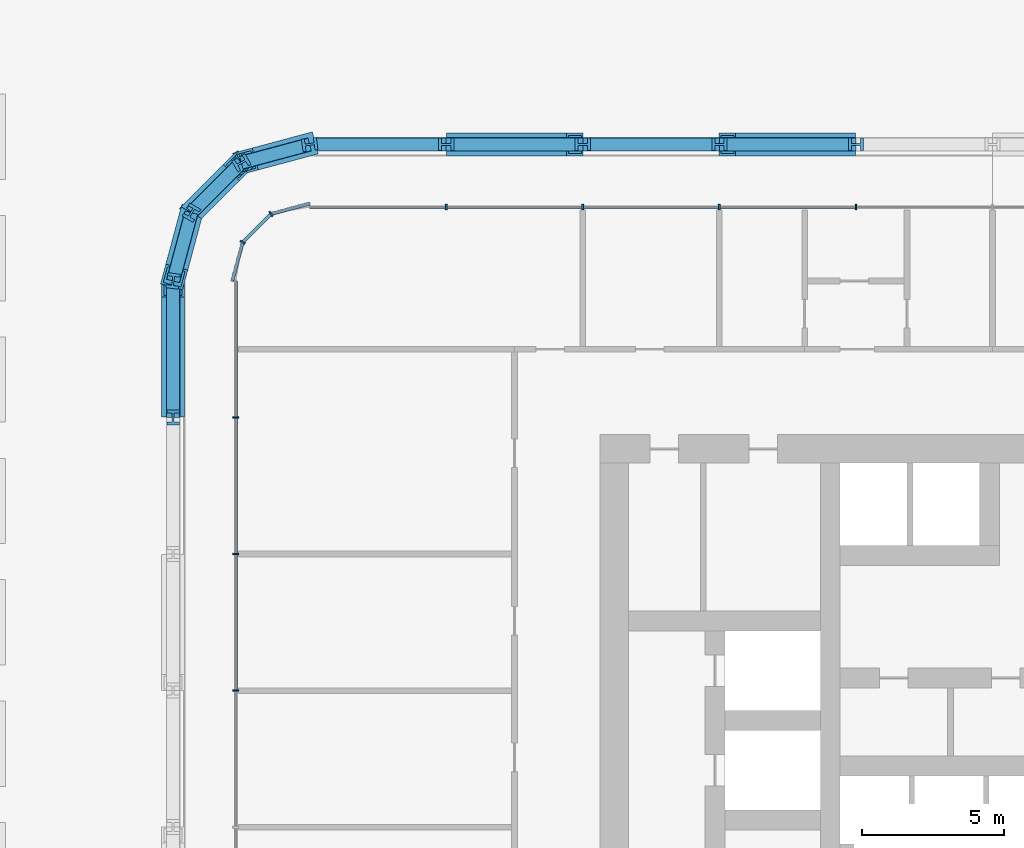
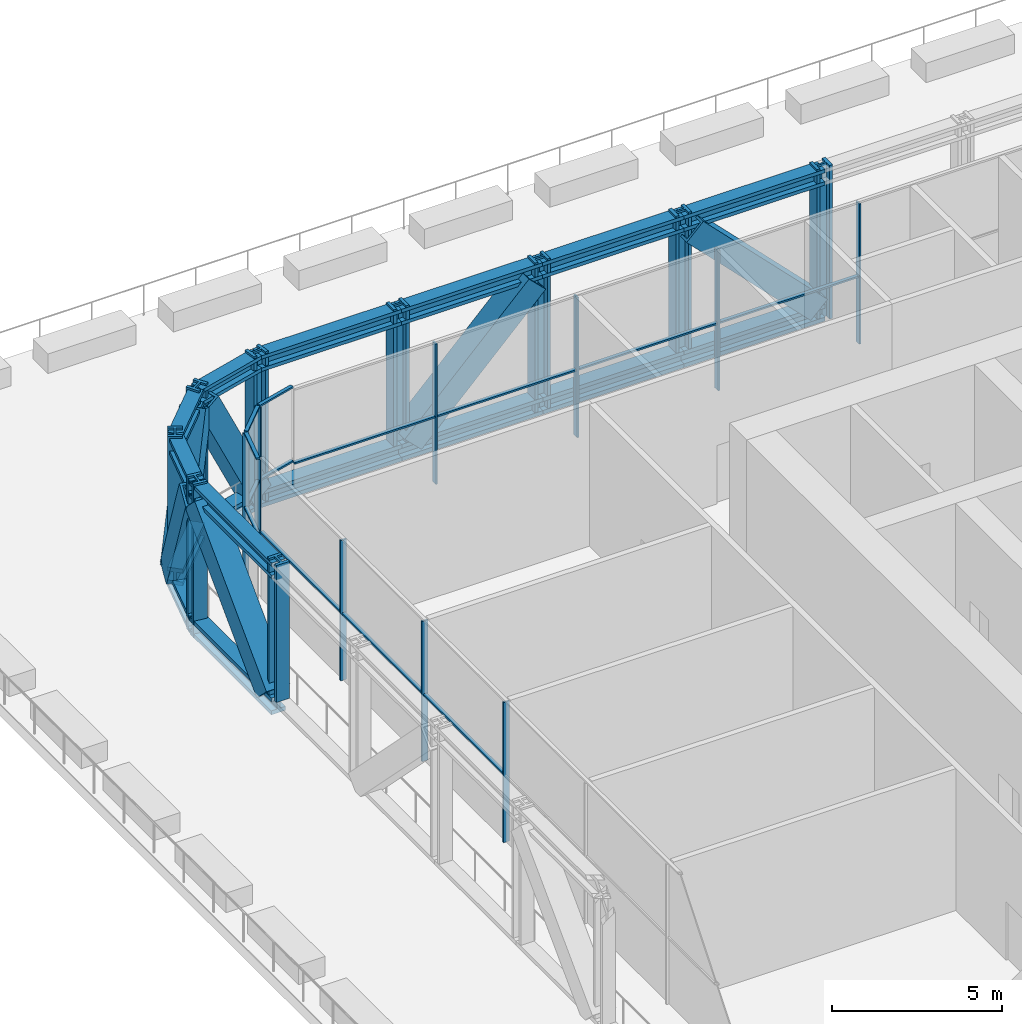
# One storey, part 7 of 22: 53 members, 3 elements without a shape of their own.
"""IFC4 building model written with IfcOpenShell, lengths in metres."""

from ifc_helpers import new_model, si_unit, direction, frame, origin, origin_2d, place, context, subcontext, project, spatial, rectangle, hollow_rectangle, i_section, extrude, material, layer, layer_set, material_profile, profile_set, type_object, element, aggregate, save


model = new_model("IFC4")

# Units and contexts
model_context = context("Model", 3, precision=1e-05, world=origin(), true_north=direction((0.0, 1.0)))
body_context = subcontext(model_context, "Body", "Model", "MODEL_VIEW")
ifc_project = project(units=[si_unit("LENGTHUNIT", "METRE"), si_unit("AREAUNIT", "SQUARE_METRE"), si_unit("VOLUMEUNIT", "CUBIC_METRE"), si_unit("PLANEANGLEUNIT", "RADIAN"), si_unit("MASSUNIT", "GRAM", prefix="KILO")], contexts=[model_context])

# Site, building, storey
site_placement = place(None, origin())
site = spatial("IfcSite", under=ifc_project, at=site_placement, CompositionType="ELEMENT")
building_placement = place(site_placement, origin())
building = spatial("IfcBuilding", under=site, at=building_placement, Name="Madar Terraces", CompositionType="ELEMENT")
storey_placement = place(building_placement, frame((0.0, 0.0, 24.0)))
storey = spatial("IfcBuildingStorey", under=building, at=storey_placement, Name="L05", CompositionType="ELEMENT", Elevation=24.0)

# Members
ifc_material_1 = material(Name="Steel ASTM A913 Grade 65", Category="steel")
ifc_material_profile_1 = material_profile(ifc_material_1, i_section(OverallWidth=0.4775390625, OverallDepth=0.599365234375, WebThickness=0.10009765625, FlangeThickness=0.139892578125, at=origin_2d()), Name="W14x873")
ifc_profile_set_1 = profile_set([ifc_material_profile_1], Name="Steel ASTM A913 Grade 65")
member_type_1 = type_object("IfcMemberType", Name="BC1 W14x873", PredefinedType="CHORD", material=ifc_profile_set_1)
for number, where, z_axis, x_axis, name in (
    (1, (24.0, 48.0, -0.120361328125), (-1.0, 0.0, 0.0), (0.0, -1.0, 0.0), "Exoskeleton truss ring bottom chord BC1"),
    (2, (19.199951171875, 48.0, -0.120361328125), (-1.0, 0.0, 0.0), (0.0, -1.0, 0.0), "Exoskeleton truss ring bottom chord BC1"),
):
    element("IfcMember", number, at=place(storey_placement, frame(where, z_axis=z_axis, x_axis=x_axis)), inside=storey, type_object=member_type_1, Name=name, PredefinedType="CHORD", context=body_context, shape_type="SweptSolid", body=[
        extrude(i_section(OverallWidth=0.4775390625, OverallDepth=0.599365234375, WebThickness=0.10009765625, FlangeThickness=0.139892578125, at=origin_2d()), origin(), (0.0, 0.0, 1.0), 4.800048828125),
    ])
member_1_placement = place(storey_placement, frame((14.39990234375, 48.0, -0.120361328125), z_axis=(-1.0, 0.0, 0.0), x_axis=(0.0, -1.0, 0.0)))
element("IfcMember", 3, at=member_1_placement, inside=storey, type_object=member_type_1, Name="Exoskeleton truss ring bottom chord BC1", PredefinedType="CHORD", context=body_context, shape_type="SweptSolid", body=[
    extrude(i_section(OverallWidth=0.4775390625, OverallDepth=0.599365234375, WebThickness=0.10009765625, FlangeThickness=0.139892578125, at=origin_2d()), origin(), (0.0, 0.0, 1.0), 4.7998046875),
])
member_2_placement = place(storey_placement, frame((9.60009765625, 48.0, -0.120361328125), z_axis=(-1.0, 0.0, 0.0), x_axis=(0.0, -1.0, 0.0)))
element("IfcMember", 4, at=member_2_placement, inside=storey, type_object=member_type_1, Name="Exoskeleton truss ring bottom chord BC1", PredefinedType="CHORD", context=body_context, shape_type="SweptSolid", body=[
    extrude(i_section(OverallWidth=0.4775390625, OverallDepth=0.599365234375, WebThickness=0.10009765625, FlangeThickness=0.139892578125, at=origin_2d()), origin(), (0.0, 0.0, 1.0), 4.800048828125),
])
member_3_placement = place(storey_placement, frame((4.800048828125, 48.0, -0.120361328125), z_axis=(-0.965930947833, -0.258799930484, 0.0), x_axis=(0.258799930484, -0.965930947833, 0.0)))
element("IfcMember", 5, at=member_3_placement, inside=storey, type_object=member_type_1, Name="Exoskeleton truss ring bottom chord BC1", PredefinedType="CHORD", context=body_context, shape_type="SweptSolid", body=[
    extrude(i_section(OverallWidth=0.4775390625, OverallDepth=0.599365234375, WebThickness=0.10009765625, FlangeThickness=0.139892578125, at=origin_2d()), origin(), (0.0, 0.0, 1.0), 2.48486328125),
])
member_4_placement = place(storey_placement, frame((2.39990234375, 47.35693359375, -0.120361328125), z_axis=(-0.707106781187, -0.707106781187, 0.0), x_axis=(0.707106781187, -0.707106781187, 0.0)))
element("IfcMember", 6, at=member_4_placement, inside=storey, type_object=member_type_1, Name="Exoskeleton truss ring bottom chord BC1", PredefinedType="CHORD", context=body_context, shape_type="SweptSolid", body=[
    extrude(i_section(OverallWidth=0.4775390625, OverallDepth=0.599365234375, WebThickness=0.10009765625, FlangeThickness=0.139892578125, at=origin_2d()), origin(), (0.0, 0.0, 1.0), 2.484619140625),
])
member_5_placement = place(storey_placement, frame((0.64306640625, 45.60009765625, -0.120361328125), z_axis=(-0.258799930484, -0.965930947833, 0.0), x_axis=(0.965930947833, -0.258799930484, 0.0)))
element("IfcMember", 7, at=member_5_placement, inside=storey, type_object=member_type_1, Name="Exoskeleton truss ring bottom chord BC1", PredefinedType="CHORD", context=body_context, shape_type="SweptSolid", body=[
    extrude(i_section(OverallWidth=0.4775390625, OverallDepth=0.599365234375, WebThickness=0.10009765625, FlangeThickness=0.139892578125, at=origin_2d()), origin(), (0.0, 0.0, 1.0), 2.48486328125),
])
member_6_placement = place(storey_placement, frame((0.0, 43.199951171875, -0.120361328125), z_axis=(0.0, -1.0, 0.0), x_axis=(1.0, 0.0, 0.0)))
element("IfcMember", 8, at=member_6_placement, inside=storey, type_object=member_type_1, Name="Exoskeleton truss ring bottom chord BC1", PredefinedType="CHORD", context=body_context, shape_type="SweptSolid", body=[
    extrude(i_section(OverallWidth=0.4775390625, OverallDepth=0.599365234375, WebThickness=0.10009765625, FlangeThickness=0.139892578125, at=origin_2d()), origin(), (0.0, 0.0, 1.0), 4.800048828125),
])

# Curtain wall, members
ifc_material_2 = material(Name="Glass, ceramic frit dark grey, with black aluminium frame", Category="aluminium")
ifc_layer = layer(ifc_material_2, 0.199951171875)
ifc_layer_set = layer_set([ifc_layer], Name="Facade curtain wall, tall glazing")
curtain_wall_type = type_object("IfcCurtainWallType", Name="Facade curtain wall, tall glazing", PredefinedType="NOTDEFINED", material=ifc_layer_set)
curtain_wall_1_placement = place(storey_placement, origin())
curtain_wall_1 = element("IfcCurtainWall", 9, at=curtain_wall_1_placement, inside=storey, type_object=curtain_wall_type, Name="Outer skin curtain wall north bay 1", PredefinedType="NOTDEFINED")
ifc_material_3 = material(Name="Aluminium, black anodised", Category="aluminium")
ifc_material_profile_2 = material_profile(ifc_material_3, rectangle(XDim=0.199951171875, YDim=0.06005859375, at=origin_2d()), Name="Facade mullion 60x200")
ifc_profile_set_2 = profile_set([ifc_material_profile_2], Name="Aluminium, black anodised")
member_type_2 = type_object("IfcMemberType", Name="Facade mullion 60x200", PredefinedType="MULLION", material=ifc_profile_set_2)
member_7_placement = place(storey_placement, frame((24.0, 45.800048828125, 0.0), z_axis=(0.0, 0.0, 1.0), x_axis=(0.0, -1.0, 0.0)))
member_7 = element("IfcMember", 10, at=member_7_placement, type_object=member_type_2, Name="Mullion 6", PredefinedType="MULLION", context=body_context, shape_type="SweptSolid", body=[
    extrude(rectangle(XDim=0.199951171875, YDim=0.06005859375, at=origin_2d()), origin(), (0.0, 0.0, 1.0), 5.0400390625),
])
member_8_placement = place(storey_placement, frame((19.199951171875, 45.800048828125, 0.0), z_axis=(0.0, 0.0, 1.0), x_axis=(0.0, -1.0, 0.0)))
member_8 = element("IfcMember", 11, at=member_8_placement, type_object=member_type_2, Name="Mullion 7", PredefinedType="MULLION", context=body_context, shape_type="SweptSolid", body=[
    extrude(rectangle(XDim=0.199951171875, YDim=0.06005859375, at=origin_2d()), origin(), (0.0, 0.0, 1.0), 5.0400390625),
])
member_9_placement = place(storey_placement, frame((14.39990234375, 45.800048828125, 0.0), z_axis=(0.0, 0.0, 1.0), x_axis=(0.0, -1.0, 0.0)))
member_9 = element("IfcMember", 12, at=member_9_placement, type_object=member_type_2, Name="Mullion 8", PredefinedType="MULLION", context=body_context, shape_type="SweptSolid", body=[
    extrude(rectangle(XDim=0.199951171875, YDim=0.06005859375, at=origin_2d()), origin(), (0.0, 0.0, 1.0), 5.0400390625),
])
member_10_placement = place(storey_placement, frame((9.60009765625, 45.800048828125, 0.0), z_axis=(0.0, 0.0, 1.0), x_axis=(0.0, -1.0, 0.0)))
member_10 = element("IfcMember", 13, at=member_10_placement, type_object=member_type_2, Name="Mullion 9", PredefinedType="MULLION", context=body_context, shape_type="SweptSolid", body=[
    extrude(rectangle(XDim=0.199951171875, YDim=0.06005859375, at=origin_2d()), origin(), (0.0, 0.0, 1.0), 5.0400390625),
])

curtain_wall_2_placement = place(storey_placement, origin())
curtain_wall_2 = element("IfcCurtainWall", 14, at=curtain_wall_2_placement, inside=storey, type_object=curtain_wall_type, Name="Outer skin curtain wall west bay 1", PredefinedType="NOTDEFINED")
member_11_placement = place(storey_placement, frame((2.199951171875, 38.39990234375, 0.0), z_axis=(0.0, 0.0, 1.0), x_axis=(1.0, 0.0, 0.0)))
member_11 = element("IfcMember", 15, at=member_11_placement, type_object=member_type_2, Name="Mullion 1", PredefinedType="MULLION", context=body_context, shape_type="SweptSolid", body=[
    extrude(rectangle(XDim=0.199951171875, YDim=0.06005859375, at=origin_2d()), origin(), (0.0, 0.0, 1.0), 5.0400390625),
])
member_12_placement = place(storey_placement, frame((2.199951171875, 33.60009765625, 0.0), z_axis=(0.0, 0.0, 1.0), x_axis=(1.0, 0.0, 0.0)))
member_12 = element("IfcMember", 16, at=member_12_placement, type_object=member_type_2, Name="Mullion 2", PredefinedType="MULLION", context=body_context, shape_type="SweptSolid", body=[
    extrude(rectangle(XDim=0.199951171875, YDim=0.06005859375, at=origin_2d()), origin(), (0.0, 0.0, 1.0), 5.0400390625),
])
member_13_placement = place(storey_placement, frame((2.199951171875, 28.800048828125, 0.0), z_axis=(0.0, 0.0, 1.0), x_axis=(1.0, 0.0, 0.0)))
member_13 = element("IfcMember", 17, at=member_13_placement, type_object=member_type_2, Name="Mullion 3", PredefinedType="MULLION", context=body_context, shape_type="SweptSolid", body=[
    extrude(rectangle(XDim=0.199951171875, YDim=0.06005859375, at=origin_2d()), origin(), (0.0, 0.0, 1.0), 5.0400390625),
])

curtain_wall_3_placement = place(storey_placement, origin())
curtain_wall_3 = element("IfcCurtainWall", 18, at=curtain_wall_3_placement, inside=storey, type_object=curtain_wall_type, Name="Outer skin curtain wall north-west corner", PredefinedType="NOTDEFINED")
member_14_placement = place(storey_placement, frame((3.43994140625, 45.5556640625, 0.0), z_axis=(0.0, 0.0, 1.0), x_axis=(0.500000029202, -0.866025386925, 0.0)))
member_14 = element("IfcMember", 19, at=member_14_placement, type_object=member_type_2, Name="Mullion 1", PredefinedType="MULLION", context=body_context, shape_type="SweptSolid", body=[
    extrude(rectangle(XDim=0.199951171875, YDim=0.06005859375, at=origin_2d()), origin(), (0.0, 0.0, 1.0), 5.0400390625),
])
member_15_placement = place(storey_placement, frame((2.4443359375, 44.56005859375, 0.0), z_axis=(0.0, 0.0, 1.0), x_axis=(0.866025386925, -0.500000029202, 0.0)))
member_15 = element("IfcMember", 20, at=member_15_placement, type_object=member_type_2, Name="Mullion 2", PredefinedType="MULLION", context=body_context, shape_type="SweptSolid", body=[
    extrude(rectangle(XDim=0.199951171875, YDim=0.06005859375, at=origin_2d()), origin(), (0.0, 0.0, 1.0), 5.0400390625),
])

# Member
ifc_material_4 = material(Name="Aluminium, black anodised", Category="aluminium")
ifc_material_profile_3 = material_profile(ifc_material_4, rectangle(XDim=0.1201171875, YDim=0.06005859375, at=origin_2d()), Name="Facade transom 60x120")
ifc_profile_set_3 = profile_set([ifc_material_profile_3], Name="Aluminium, black anodised")
member_type_3 = type_object("IfcMemberType", Name="Facade transom 60x120", PredefinedType="USERDEFINED", material=ifc_profile_set_3)
member_16_placement = place(storey_placement, frame((23.969970703125, 45.800048828125, 2.39990234375), z_axis=(-1.0, 0.0, 0.0), x_axis=(0.0, -1.0, 0.0)))
member_16 = element("IfcMember", 21, at=member_16_placement, type_object=member_type_3, Name="Transom 8", ObjectType="TRANSOM", PredefinedType="USERDEFINED", context=body_context, shape_type="SweptSolid", body=[
    extrude(rectangle(XDim=0.1201171875, YDim=0.06005859375, at=origin_2d()), origin(), (0.0, 0.0, 1.0), 4.739990234375),
])

member_17_placement = place(storey_placement, frame((19.169921875, 45.800048828125, 2.39990234375), z_axis=(-1.0, 0.0, 0.0), x_axis=(0.0, -1.0, 0.0)))
member_17 = element("IfcMember", 22, at=member_17_placement, type_object=member_type_3, Name="Transom 9", ObjectType="TRANSOM", PredefinedType="USERDEFINED", context=body_context, shape_type="SweptSolid", body=[
    extrude(rectangle(XDim=0.1201171875, YDim=0.06005859375, at=origin_2d()), origin(), (0.0, 0.0, 1.0), 4.739990234375),
])

member_18_placement = place(storey_placement, frame((14.3701171875, 45.800048828125, 2.39990234375), z_axis=(-1.0, 0.0, 0.0), x_axis=(0.0, -1.0, 0.0)))
member_18 = element("IfcMember", 23, at=member_18_placement, type_object=member_type_3, Name="Transom 10", ObjectType="TRANSOM", PredefinedType="USERDEFINED", context=body_context, shape_type="SweptSolid", body=[
    extrude(rectangle(XDim=0.1201171875, YDim=0.06005859375, at=origin_2d()), origin(), (0.0, 0.0, 1.0), 4.740234375),
])

member_19_placement = place(storey_placement, frame((9.570068359375, 45.800048828125, 2.39990234375), z_axis=(-1.0, 0.0, 0.0), x_axis=(0.0, -1.0, 0.0)))
member_19 = element("IfcMember", 24, at=member_19_placement, type_object=member_type_3, Name="Transom 11", ObjectType="TRANSOM", PredefinedType="USERDEFINED", context=body_context, shape_type="SweptSolid", body=[
    extrude(rectangle(XDim=0.1201171875, YDim=0.06005859375, at=origin_2d()), origin(), (0.0, 0.0, 1.0), 4.77001953125),
])

aggregate(curtain_wall_1, [member_7, member_8, member_9, member_10, member_16, member_17, member_18, member_19])

member_20_placement = place(storey_placement, frame((2.199951171875, 43.199951171875, 2.39990234375), z_axis=(0.0, -1.0, 0.0), x_axis=(1.0, 0.0, 0.0)))
member_20 = element("IfcMember", 25, at=member_20_placement, type_object=member_type_3, Name="Transom 2", ObjectType="TRANSOM", PredefinedType="USERDEFINED", context=body_context, shape_type="SweptSolid", body=[
    extrude(rectangle(XDim=0.1201171875, YDim=0.06005859375, at=origin_2d()), origin(), (0.0, 0.0, 1.0), 4.77001953125),
])

member_21_placement = place(storey_placement, frame((2.199951171875, 38.3701171875, 2.39990234375), z_axis=(0.0, -1.0, 0.0), x_axis=(1.0, 0.0, 0.0)))
member_21 = element("IfcMember", 26, at=member_21_placement, type_object=member_type_3, Name="Transom 3", ObjectType="TRANSOM", PredefinedType="USERDEFINED", context=body_context, shape_type="SweptSolid", body=[
    extrude(rectangle(XDim=0.1201171875, YDim=0.06005859375, at=origin_2d()), origin(), (0.0, 0.0, 1.0), 4.740234375),
])

member_22_placement = place(storey_placement, frame((2.199951171875, 33.570068359375, 2.39990234375), z_axis=(0.0, -1.0, 0.0), x_axis=(1.0, 0.0, 0.0)))
member_22 = element("IfcMember", 27, at=member_22_placement, type_object=member_type_3, Name="Transom 4", ObjectType="TRANSOM", PredefinedType="USERDEFINED", context=body_context, shape_type="SweptSolid", body=[
    extrude(rectangle(XDim=0.1201171875, YDim=0.06005859375, at=origin_2d()), origin(), (0.0, 0.0, 1.0), 4.739990234375),
])

aggregate(curtain_wall_2, [member_11, member_12, member_13, member_20, member_21, member_22])

member_23_placement = place(storey_placement, frame((4.800048828125, 45.919921875, 5.070068359375), z_axis=(-0.965919580711, -0.258842352791, 0.0), x_axis=(0.258842352791, -0.965919580711, 0.0)))
member_23 = element("IfcMember", 28, at=member_23_placement, type_object=member_type_3, Name="Transom 1", ObjectType="TRANSOM", PredefinedType="USERDEFINED", context=body_context, shape_type="SweptSolid", body=[
    extrude(rectangle(XDim=0.1201171875, YDim=0.06005859375, at=origin_2d()), origin(), (0.0, 0.0, 1.0), 1.3779296875),
])

member_24_placement = place(storey_placement, frame((4.800048828125, 45.919921875, 2.39990234375), z_axis=(-0.965919580711, -0.258842352791, 0.0), x_axis=(0.258842352791, -0.965919580711, 0.0)))
member_24 = element("IfcMember", 29, at=member_24_placement, type_object=member_type_3, Name="Transom 2", ObjectType="TRANSOM", PredefinedType="USERDEFINED", context=body_context, shape_type="SweptSolid", body=[
    extrude(rectangle(XDim=0.1201171875, YDim=0.06005859375, at=origin_2d()), origin(), (0.0, 0.0, 1.0), 1.3779296875),
])

member_25_placement = place(storey_placement, frame((3.418701171875, 45.534423828125, 5.070068359375), z_axis=(-0.707106781187, -0.707106781187, 0.0), x_axis=(0.707106781187, -0.707106781187, 0.0)))
member_25 = element("IfcMember", 30, at=member_25_placement, type_object=member_type_3, Name="Transom 3", ObjectType="TRANSOM", PredefinedType="USERDEFINED", context=body_context, shape_type="SweptSolid", body=[
    extrude(rectangle(XDim=0.1201171875, YDim=0.06005859375, at=origin_2d()), origin(), (0.0, 0.0, 1.0), 1.347900390625),
])

member_26_placement = place(storey_placement, frame((3.418701171875, 45.534423828125, 2.39990234375), z_axis=(-0.707106781187, -0.707106781187, 0.0), x_axis=(0.707106781187, -0.707106781187, 0.0)))
member_26 = element("IfcMember", 31, at=member_26_placement, type_object=member_type_3, Name="Transom 4", ObjectType="TRANSOM", PredefinedType="USERDEFINED", context=body_context, shape_type="SweptSolid", body=[
    extrude(rectangle(XDim=0.1201171875, YDim=0.06005859375, at=origin_2d()), origin(), (0.0, 0.0, 1.0), 1.347900390625),
])

member_27_placement = place(storey_placement, frame((2.436767578125, 44.531005859375, 5.070068359375), z_axis=(-0.258842352791, -0.965919580711, 0.0), x_axis=(0.965919580711, -0.258842352791, 0.0)))
member_27 = element("IfcMember", 32, at=member_27_placement, type_object=member_type_3, Name="Transom 5", ObjectType="TRANSOM", PredefinedType="USERDEFINED", context=body_context, shape_type="SweptSolid", body=[
    extrude(rectangle(XDim=0.1201171875, YDim=0.06005859375, at=origin_2d()), origin(), (0.0, 0.0, 1.0), 1.3779296875),
])

member_28_placement = place(storey_placement, frame((2.436767578125, 44.531005859375, 2.39990234375), z_axis=(-0.258842352791, -0.965919580711, 0.0), x_axis=(0.965919580711, -0.258842352791, 0.0)))
member_28 = element("IfcMember", 33, at=member_28_placement, type_object=member_type_3, Name="Transom 6", ObjectType="TRANSOM", PredefinedType="USERDEFINED", context=body_context, shape_type="SweptSolid", body=[
    extrude(rectangle(XDim=0.1201171875, YDim=0.06005859375, at=origin_2d()), origin(), (0.0, 0.0, 1.0), 1.3779296875),
])

aggregate(curtain_wall_3, [member_14, member_23, member_24, member_15, member_25, member_26, member_27, member_28])

# Members
ifc_material_5 = material(Name="Steel ASTM A913 Grade 65", Category="steel")
ifc_material_profile_4 = material_profile(ifc_material_5, i_section(OverallWidth=0.45458984375, OverallDepth=0.56884765625, WebThickness=0.077880859375, FlangeThickness=0.124755859375, at=origin_2d()), Name="W14x730")
ifc_profile_set_4 = profile_set([ifc_material_profile_4], Name="Steel ASTM A913 Grade 65")
member_type_4 = type_object("IfcMemberType", Name="TC1 W14x730", PredefinedType="CHORD", material=ifc_profile_set_4)
for number, where, z_axis, x_axis, name in (
    (34, (24.0, 48.0, 4.74560546875), (-1.0, 0.0, 0.0), (0.0, -1.0, 0.0), "Exoskeleton truss ring top chord TC1"),
    (35, (19.199951171875, 48.0, 4.74560546875), (-1.0, 0.0, 0.0), (0.0, -1.0, 0.0), "Exoskeleton truss ring top chord TC1"),
):
    element("IfcMember", number, at=place(storey_placement, frame(where, z_axis=z_axis, x_axis=x_axis)), inside=storey, type_object=member_type_4, Name=name, PredefinedType="CHORD", context=body_context, shape_type="SweptSolid", body=[
        extrude(i_section(OverallWidth=0.45458984375, OverallDepth=0.56884765625, WebThickness=0.077880859375, FlangeThickness=0.124755859375, at=origin_2d()), origin(), (0.0, 0.0, 1.0), 4.800048828125),
    ])
member_29_placement = place(storey_placement, frame((14.39990234375, 48.0, 4.74560546875), z_axis=(-1.0, 0.0, 0.0), x_axis=(0.0, -1.0, 0.0)))
element("IfcMember", 36, at=member_29_placement, inside=storey, type_object=member_type_4, Name="Exoskeleton truss ring top chord TC1", PredefinedType="CHORD", context=body_context, shape_type="SweptSolid", body=[
    extrude(i_section(OverallWidth=0.45458984375, OverallDepth=0.56884765625, WebThickness=0.077880859375, FlangeThickness=0.124755859375, at=origin_2d()), origin(), (0.0, 0.0, 1.0), 4.7998046875),
])
member_30_placement = place(storey_placement, frame((9.60009765625, 48.0, 4.74560546875), z_axis=(-1.0, 0.0, 0.0), x_axis=(0.0, -1.0, 0.0)))
element("IfcMember", 37, at=member_30_placement, inside=storey, type_object=member_type_4, Name="Exoskeleton truss ring top chord TC1", PredefinedType="CHORD", context=body_context, shape_type="SweptSolid", body=[
    extrude(i_section(OverallWidth=0.45458984375, OverallDepth=0.56884765625, WebThickness=0.077880859375, FlangeThickness=0.124755859375, at=origin_2d()), origin(), (0.0, 0.0, 1.0), 4.800048828125),
])
member_31_placement = place(storey_placement, frame((4.800048828125, 48.0, 4.74560546875), z_axis=(-0.965930947833, -0.258799930484, 0.0), x_axis=(0.258799930484, -0.965930947833, 0.0)))
element("IfcMember", 38, at=member_31_placement, inside=storey, type_object=member_type_4, Name="Exoskeleton truss ring top chord TC1", PredefinedType="CHORD", context=body_context, shape_type="SweptSolid", body=[
    extrude(i_section(OverallWidth=0.45458984375, OverallDepth=0.56884765625, WebThickness=0.077880859375, FlangeThickness=0.124755859375, at=origin_2d()), origin(), (0.0, 0.0, 1.0), 2.48486328125),
])
member_32_placement = place(storey_placement, frame((2.39990234375, 47.35693359375, 4.74560546875), z_axis=(-0.707106781187, -0.707106781187, 0.0), x_axis=(0.707106781187, -0.707106781187, 0.0)))
element("IfcMember", 39, at=member_32_placement, inside=storey, type_object=member_type_4, Name="Exoskeleton truss ring top chord TC1", PredefinedType="CHORD", context=body_context, shape_type="SweptSolid", body=[
    extrude(i_section(OverallWidth=0.45458984375, OverallDepth=0.56884765625, WebThickness=0.077880859375, FlangeThickness=0.124755859375, at=origin_2d()), origin(), (0.0, 0.0, 1.0), 2.484619140625),
])
member_33_placement = place(storey_placement, frame((0.64306640625, 45.60009765625, 4.74560546875), z_axis=(-0.258799930484, -0.965930947833, 0.0), x_axis=(0.965930947833, -0.258799930484, 0.0)))
element("IfcMember", 40, at=member_33_placement, inside=storey, type_object=member_type_4, Name="Exoskeleton truss ring top chord TC1", PredefinedType="CHORD", context=body_context, shape_type="SweptSolid", body=[
    extrude(i_section(OverallWidth=0.45458984375, OverallDepth=0.56884765625, WebThickness=0.077880859375, FlangeThickness=0.124755859375, at=origin_2d()), origin(), (0.0, 0.0, 1.0), 2.48486328125),
])
member_34_placement = place(storey_placement, frame((0.0, 43.199951171875, 4.74560546875), z_axis=(0.0, -1.0, 0.0), x_axis=(1.0, 0.0, 0.0)))
element("IfcMember", 41, at=member_34_placement, inside=storey, type_object=member_type_4, Name="Exoskeleton truss ring top chord TC1", PredefinedType="CHORD", context=body_context, shape_type="SweptSolid", body=[
    extrude(i_section(OverallWidth=0.45458984375, OverallDepth=0.56884765625, WebThickness=0.077880859375, FlangeThickness=0.124755859375, at=origin_2d()), origin(), (0.0, 0.0, 1.0), 4.800048828125),
])
ifc_material_6 = material(Name="Steel ASTM A572 Grade 50", Category="steel")
ifc_material_profile_5 = material_profile(ifc_material_6, hollow_rectangle(XDim=0.800048828125, YDim=0.800048828125, WallThickness=0.080078125, at=origin_2d()), Name="BOX800x800x80")
ifc_profile_set_5 = profile_set([ifc_material_profile_5], Name="Steel ASTM A572 Grade 50")
member_type_5 = type_object("IfcMemberType", Name="TD1 BOX800x800x80", PredefinedType="BRACE", material=ifc_profile_set_5)
for number, where, z_axis, x_axis, name in (
    (42, (23.704345703125, 48.0, 0.179443359375), (-0.702280003428, 0.0, 0.711900833533), (0.0, -1.0, 0.0), "Exoskeleton truss ring diagonal TD1"),
    (43, (14.119384765625, 48.0, 4.4609375), (-0.702280003428, 0.0, -0.711900833533), (0.0, -1.0, 0.0), "Exoskeleton truss ring diagonal TD1"),
):
    element("IfcMember", number, at=place(storey_placement, frame(where, z_axis=z_axis, x_axis=x_axis)), inside=storey, type_object=member_type_5, Name=name, PredefinedType="BRACE", context=body_context, shape_type="SweptSolid", body=[
        extrude(hollow_rectangle(XDim=0.800048828125, YDim=0.800048828125, WallThickness=0.080078125, at=origin_2d()), origin(), (0.0, 0.0, 1.0), 6.01416015625),
    ])
for number, where, z_axis, x_axis, name in (
    (44, (4.652099609375, 47.96044921875, 0.179443359375), (-0.439283295045, -0.117717766233, 0.890602444533), (0.258843996214, -0.965919140314, 0.0), "Exoskeleton truss ring diagonal TD1"),
    (45, (2.29736328125, 47.254150390625, 4.4609375), (-0.321614036581, -0.321563252744, -0.890596140773), (0.707050947417, -0.707162610548, 0.0), "Exoskeleton truss ring diagonal TD1"),
    (46, (0.603515625, 45.4521484375, 0.179443359375), (-0.117717766233, -0.439283295045, 0.890602444533), (0.965919140314, -0.258843996214, 0.0), "Exoskeleton truss ring diagonal TD1"),
):
    element("IfcMember", number, at=place(storey_placement, frame(where, z_axis=z_axis, x_axis=x_axis)), inside=storey, type_object=member_type_5, Name=name, PredefinedType="BRACE", context=body_context, shape_type="SweptSolid", body=[
        extrude(hollow_rectangle(XDim=0.800048828125, YDim=0.800048828125, WallThickness=0.080078125, at=origin_2d()), origin(), (0.0, 0.0, 1.0), 4.807373046875),
    ])
member_35_placement = place(storey_placement, frame((0.0, 42.91943359375, 4.4609375), z_axis=(0.0, -0.702300575813, -0.711880538583), x_axis=(1.0, 0.0, 0.0)))
element("IfcMember", 47, at=member_35_placement, inside=storey, type_object=member_type_5, Name="Exoskeleton truss ring diagonal TD1", PredefinedType="BRACE", context=body_context, shape_type="SweptSolid", body=[
    extrude(hollow_rectangle(XDim=0.800048828125, YDim=0.800048828125, WallThickness=0.080078125, at=origin_2d()), origin(), (0.0, 0.0, 1.0), 6.014404296875),
])
ifc_material_7 = material(Name="Steel ASTM A913 Grade 65", Category="steel")
ifc_material_profile_6 = material_profile(ifc_material_7, i_section(OverallWidth=0.44189453125, OverallDepth=0.53076171875, WebThickness=0.06591796875, FlangeThickness=0.105712890625, at=origin_2d()), Name="W14x605")
ifc_profile_set_6 = profile_set([ifc_material_profile_6], Name="Steel ASTM A913 Grade 65")
member_type_6 = type_object("IfcMemberType", Name="TV1 W14x605", PredefinedType="POST", material=ifc_profile_set_6)
member_36_placement = place(storey_placement, frame((24.0, 48.0, -0.419921875), z_axis=(0.0, 0.0, 1.0), x_axis=(0.0, -1.0, 0.0)))
element("IfcMember", 48, at=member_36_placement, inside=storey, type_object=member_type_6, Name="Exoskeleton truss ring post TV1", PredefinedType="POST", context=body_context, shape_type="SweptSolid", body=[
    extrude(i_section(OverallWidth=0.44189453125, OverallDepth=0.53076171875, WebThickness=0.06591796875, FlangeThickness=0.105712890625, at=origin_2d()), origin(), (0.0, 0.0, 1.0), 5.52001953125),
])
member_37_placement = place(storey_placement, frame((19.199951171875, 48.0, 0.179443359375), z_axis=(0.0, 0.0, 1.0), x_axis=(0.0, -1.0, 0.0)))
element("IfcMember", 49, at=member_37_placement, inside=storey, type_object=member_type_6, Name="Exoskeleton truss ring post TV1", PredefinedType="POST", context=body_context, shape_type="SweptSolid", body=[
    extrude(i_section(OverallWidth=0.44189453125, OverallDepth=0.53076171875, WebThickness=0.06591796875, FlangeThickness=0.105712890625, at=origin_2d()), origin(), (0.0, 0.0, 1.0), 4.920654296875),
])
member_38_placement = place(storey_placement, frame((14.39990234375, 48.0, -0.419921875), z_axis=(0.0, 0.0, 1.0), x_axis=(0.0, -1.0, 0.0)))
element("IfcMember", 50, at=member_38_placement, inside=storey, type_object=member_type_6, Name="Exoskeleton truss ring post TV1", PredefinedType="POST", context=body_context, shape_type="SweptSolid", body=[
    extrude(i_section(OverallWidth=0.44189453125, OverallDepth=0.53076171875, WebThickness=0.06591796875, FlangeThickness=0.105712890625, at=origin_2d()), origin(), (0.0, 0.0, 1.0), 5.52001953125),
])
member_39_placement = place(storey_placement, frame((9.60009765625, 48.0, 0.179443359375), z_axis=(0.0, 0.0, 1.0), x_axis=(0.0, -1.0, 0.0)))
element("IfcMember", 51, at=member_39_placement, inside=storey, type_object=member_type_6, Name="Exoskeleton truss ring post TV1", PredefinedType="POST", context=body_context, shape_type="SweptSolid", body=[
    extrude(i_section(OverallWidth=0.44189453125, OverallDepth=0.53076171875, WebThickness=0.06591796875, FlangeThickness=0.105712890625, at=origin_2d()), origin(), (0.0, 0.0, 1.0), 4.920654296875),
])
member_40_placement = place(storey_placement, frame((4.800048828125, 48.0, -0.419921875), z_axis=(0.0, 0.0, 1.0), x_axis=(0.130526174916, -0.991444863652, 0.0)))
element("IfcMember", 52, at=member_40_placement, inside=storey, type_object=member_type_6, Name="Exoskeleton truss ring post TV1", PredefinedType="POST", context=body_context, shape_type="SweptSolid", body=[
    extrude(i_section(OverallWidth=0.44189453125, OverallDepth=0.53076171875, WebThickness=0.06591796875, FlangeThickness=0.105712890625, at=origin_2d()), origin(), (0.0, 0.0, 1.0), 5.52001953125),
])
for number, where, z_axis, x_axis, name in (
    (53, (2.39990234375, 47.35693359375, 0.179443359375), (0.0, 0.0, 1.0), (0.499999984885, -0.866025412511, 0.0), "Exoskeleton truss ring post TV1"),
    (54, (0.64306640625, 45.60009765625, 0.179443359375), (0.0, 0.0, 1.0), (0.866025412511, -0.499999984885, 0.0), "Exoskeleton truss ring post TV1"),
):
    element("IfcMember", number, at=place(storey_placement, frame(where, z_axis=z_axis, x_axis=x_axis)), inside=storey, type_object=member_type_6, Name=name, PredefinedType="POST", context=body_context, shape_type="SweptSolid", body=[
        extrude(i_section(OverallWidth=0.44189453125, OverallDepth=0.53076171875, WebThickness=0.06591796875, FlangeThickness=0.105712890625, at=origin_2d()), origin(), (0.0, 0.0, 1.0), 4.920654296875),
    ])
member_41_placement = place(storey_placement, frame((0.0, 43.199951171875, -0.419921875), z_axis=(0.0, 0.0, 1.0), x_axis=(0.991444863652, -0.130526174916, 0.0)))
element("IfcMember", 55, at=member_41_placement, inside=storey, type_object=member_type_6, Name="Exoskeleton truss ring post TV1", PredefinedType="POST", context=body_context, shape_type="SweptSolid", body=[
    extrude(i_section(OverallWidth=0.44189453125, OverallDepth=0.53076171875, WebThickness=0.06591796875, FlangeThickness=0.105712890625, at=origin_2d()), origin(), (0.0, 0.0, 1.0), 5.52001953125),
])
member_42_placement = place(storey_placement, frame((0.0, 38.39990234375, 0.179443359375), z_axis=(0.0, 0.0, 1.0), x_axis=(1.0, 0.0, 0.0)))
element("IfcMember", 56, at=member_42_placement, inside=storey, type_object=member_type_6, Name="Exoskeleton truss ring post TV1", PredefinedType="POST", context=body_context, shape_type="SweptSolid", body=[
    extrude(i_section(OverallWidth=0.44189453125, OverallDepth=0.53076171875, WebThickness=0.06591796875, FlangeThickness=0.105712890625, at=origin_2d()), origin(), (0.0, 0.0, 1.0), 4.920654296875),
])

save(model, "model.ifc")
